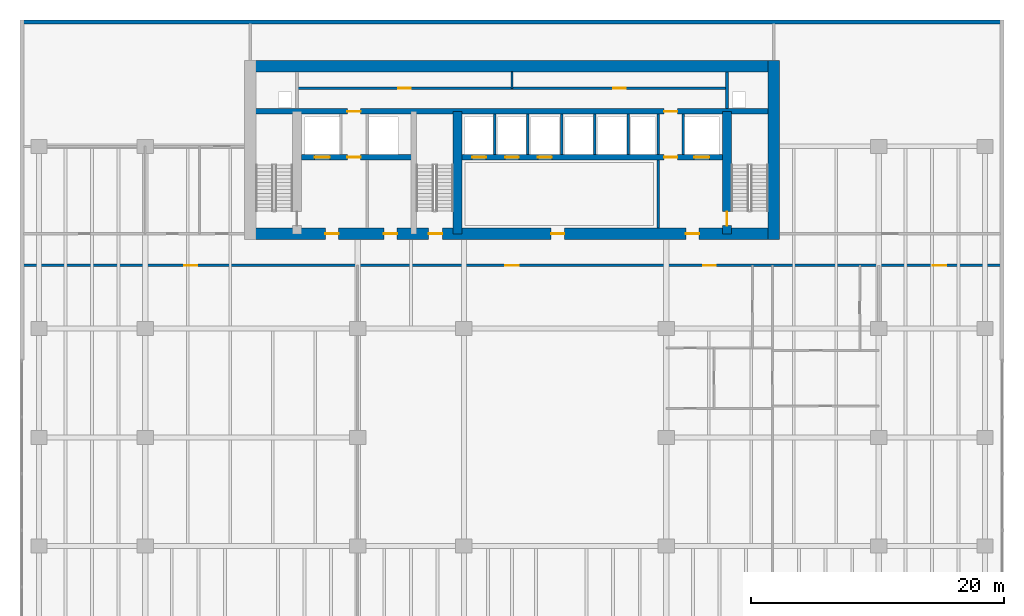
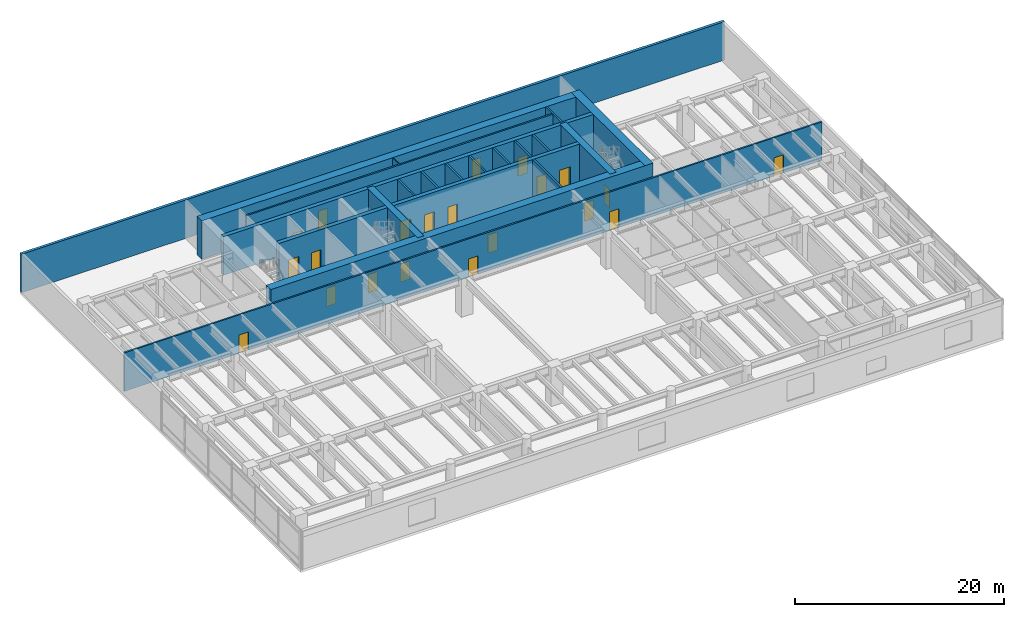
# One storey, part 8 of 13: 21 doors, 20 walls, 21 openings.
"""IFC4 building model written with IfcOpenShell, lengths in metres."""

import ifcopenshell
import ifcopenshell.guid

model = None  # the IFC model being written
_history = None  # IfcOwnerHistory: only IFC2X3 demands one
_inside = {}  # id of a spatial element -> (the spatial element, [elements in it])
_under = {}  # id of a project, library or spatial element -> (it, [spatial elements below it])
_declared = {}  # id of a project -> (the project, [libraries it declares])
_typed = {}  # id of a type object -> (the type object, [elements of that type])
_made_of = {}  # id of a material, layer set ... -> (it, [elements and type objects made of it])


def new_model(schema):
    """Start an empty IFC model of exactly this schema.

    Asked for "IFC4X3", IfcOpenShell would pick the latest addendum, in which some entities
    have other attributes; the version numbers below select the first issue.
    IFC2X3 requires an IfcOwnerHistory on every rooted entity: one is made here for all.
    """
    global model, _history
    if schema == "IFC4X3":
        model = ifcopenshell.file(schema_version=(4, 3, 0, 0))
    else:
        model = ifcopenshell.file(schema=schema)
    _inside.clear()
    _under.clear()
    _declared.clear()
    _typed.clear()
    _made_of.clear()
    _history = None
    if model.schema == "IFC2X3":
        org = make("IfcOrganization", Name="unknown")
        user = make(
            "IfcPersonAndOrganization",
            ThePerson=make("IfcPerson", FamilyName="unknown"),
            TheOrganization=org,
        )
        app = make(
            "IfcApplication",
            ApplicationDeveloper=org,
            Version="unknown",
            ApplicationFullName="unknown",
            ApplicationIdentifier="unknown",
        )
        _history = make(
            "IfcOwnerHistory",
            OwningUser=user,
            OwningApplication=app,
            ChangeAction="ADDED",
            CreationDate=0,
        )
    return model


def make(cls, **values):
    """One entity of the class cls with the attributes given. An attribute that is None is left unset."""
    return model.create_entity(
        cls, **{name: value for name, value in values.items() if value is not None}
    )


def rooted(cls, **values):
    """An entity with a GlobalId (a new one), such as an element, a storey or a relation."""
    return make(cls, GlobalId=ifcopenshell.guid.new(), OwnerHistory=_history, **values)


def si_unit(unit_type, name, prefix=None):
    """IfcSIUnit, for example si_unit("LENGTHUNIT", "METRE", prefix="MILLI")."""
    return make("IfcSIUnit", UnitType=unit_type, Prefix=prefix, Name=name)


def assignment(units):
    """IfcUnitAssignment: the units of a project."""
    return None if units is None else make("IfcUnitAssignment", Units=units)


def point(xyz):
    """IfcCartesianPoint."""
    return None if xyz is None else make("IfcCartesianPoint", Coordinates=xyz)


def direction(xyz):
    """IfcDirection."""
    return None if xyz is None else make("IfcDirection", DirectionRatios=xyz)


def frame(location, z_axis=None, x_axis=None):
    """IfcAxis2Placement3D, a coordinate frame: its origin and axes. An axis left out is left unset."""
    return make(
        "IfcAxis2Placement3D",
        Location=point(location),
        Axis=direction(z_axis),
        RefDirection=direction(x_axis),
    )


def frame_2d(location, x_axis=None):
    """IfcAxis2Placement2D, a coordinate frame in the plane: its origin and x axis."""
    return make(
        "IfcAxis2Placement2D", Location=point(location), RefDirection=direction(x_axis)
    )


def origin():
    """The frame at (0, 0, 0) with its axes left unset."""
    return frame((0.0, 0.0, 0.0))


def place(relative_to, where):
    """IfcLocalPlacement: puts the frame where relative to a parent placement (None: the world)."""
    return make(
        "IfcLocalPlacement", PlacementRelTo=relative_to, RelativePlacement=where
    )


def context(
    kind, dimensions, precision=None, world=None, true_north=None, identifier=None
):
    """IfcGeometricRepresentationContext, for example the 3D "Model" context."""
    return make(
        "IfcGeometricRepresentationContext",
        ContextIdentifier=identifier,
        ContextType=kind,
        CoordinateSpaceDimension=dimensions,
        Precision=precision,
        WorldCoordinateSystem=world,
        TrueNorth=true_north,
    )


def subcontext(parent, identifier, kind, view, scale=None):
    """IfcGeometricRepresentationSubContext, for example "Body" below "Model"."""
    return make(
        "IfcGeometricRepresentationSubContext",
        ContextIdentifier=identifier,
        ContextType=kind,
        ParentContext=parent,
        TargetScale=scale,
        TargetView=view,
    )


def project(units=None, contexts=None):
    """IfcProject with its units and contexts."""
    return rooted(
        "IfcProject",
        Name="project",
        RepresentationContexts=contexts,
        UnitsInContext=assignment(units),
    )


def spatial(cls, under=None, at=None, **own):
    """A site, building, storey or space (cls), placed at a placement, below another one or the project."""
    s = rooted(cls, ObjectPlacement=at, **own)
    if under is not None:
        _under.setdefault(under.id(), (under, []))[1].append(s)
    return s


def profile(cls, at=None, kind="AREA", **sizes):
    """A parametric profile (cls). Its sizes go by their IFC names, for example OverallWidth=200.0."""
    return make(cls, ProfileType=kind, Position=at, **sizes)


def rectangle(**sizes):
    """IfcRectangleProfileDef."""
    return profile("IfcRectangleProfileDef", **sizes)


def extrude(swept, where, along, depth):
    """IfcExtrudedAreaSolid: the profile swept, set in the frame where, extruded along a direction by depth."""
    return make(
        "IfcExtrudedAreaSolid",
        SweptArea=swept,
        Position=where,
        ExtrudedDirection=direction(along),
        Depth=depth,
    )


def shape(context_of_items, identifier, shape_type, items):
    """IfcShapeRepresentation: the items that make up one representation, for example the "Body"."""
    return make(
        "IfcShapeRepresentation",
        ContextOfItems=context_of_items,
        RepresentationIdentifier=identifier,
        RepresentationType=shape_type,
        Items=items,
    )


def material(Name=None, Category=None):
    """IfcMaterial."""
    return make("IfcMaterial", Name=Name, Category=Category)


def layer(
    of_material, thickness, ventilated=None, Name=None, Category=None, Priority=None
):
    """IfcMaterialLayer: one layer of a wall or slab, of a material (None: an air gap)."""
    return make(
        "IfcMaterialLayer",
        Material=of_material,
        LayerThickness=thickness,
        IsVentilated=ventilated,
        Name=Name,
        Category=Category,
        Priority=Priority,
    )


def layer_set(layers, Name=None):
    """IfcMaterialLayerSet."""
    return make("IfcMaterialLayerSet", MaterialLayers=layers, LayerSetName=Name)


def made_of(thing, what):
    """Note that an element or type object is made of a material, layer set ...; save() writes the relation."""
    if what is not None:
        _made_of.setdefault(what.id(), (what, []))[1].append(thing)
    return thing


def type_object(cls, material=None, **own):
    """A type object (cls), such as IfcWallType, which elements share."""
    return made_of(rooted(cls, **own), material)


def element(
    cls,
    number,
    at=None,
    inside=None,
    cuts=None,
    type_object=None,
    material=None,
    context=None,
    identifier="Body",
    shape_type=None,
    held_by="IfcProductDefinitionShape",
    body=None,
    shapes=None,
    **own,
):
    """One element of the class cls, such as IfcWall. Its Tag is "e" and its number.

    at: its placement. inside: the storey or other place that contains it. cuts: it is an
    opening in that element (IfcRelVoidsElement). A single representation is given by context,
    identifier, shape_type and body (its items); several are given by shapes. held_by: the class
    of the entity that holds the representations. save() writes the other relations.
    """
    e = rooted(cls, Tag="e%d" % number, ObjectPlacement=at, **own)
    if body is not None:
        shapes = [shape(context, identifier, shape_type, body)]
    if shapes is not None:
        e.Representation = make(held_by, Representations=shapes)
    if inside is not None:
        _inside.setdefault(inside.id(), (inside, []))[1].append(e)
    if cuts is not None:
        rooted(
            "IfcRelVoidsElement", RelatingBuildingElement=cuts, RelatedOpeningElement=e
        )
    if type_object is not None:
        _typed.setdefault(type_object.id(), (type_object, []))[1].append(e)
    return made_of(e, material)


def fill(opening, filler):
    """IfcRelFillsElement: the door or window that sits in an opening."""
    return rooted(
        "IfcRelFillsElement",
        RelatingOpeningElement=opening,
        RelatedBuildingElement=filler,
    )


def aggregate(whole, parts):
    """IfcRelAggregates: a whole, such as a stair, and the parts it consists of."""
    return rooted("IfcRelAggregates", RelatingObject=whole, RelatedObjects=parts)


def save(model, path):
    """Write the relations noted so far, then the file.

    IfcRelAggregates (storeys below a building ...), IfcRelContainedInSpatialStructure (elements
    in a storey), IfcRelDefinesByType, IfcRelAssociatesMaterial and IfcRelDeclares: one each for
    every whole, place, type object, material and project.
    """
    for whole, parts in _under.values():
        aggregate(whole, parts)
    for where, things in _inside.values():
        rooted(
            "IfcRelContainedInSpatialStructure",
            RelatedElements=things,
            RelatingStructure=where,
        )
    for kind, things in _typed.values():
        rooted("IfcRelDefinesByType", RelatedObjects=things, RelatingType=kind)
    for what, things in _made_of.values():
        rooted("IfcRelAssociatesMaterial", RelatedObjects=things, RelatingMaterial=what)
    for by, libraries in _declared.values():
        rooted("IfcRelDeclares", RelatingContext=by, RelatedDefinitions=libraries)
    model.write(path)


model = new_model("IFC4")

# Units and contexts
model_context = context("Model", 3, precision=1e-05, world=origin(), true_north=direction((0.0, 1.0)))
body_context = subcontext(model_context, "Body", "Model", "MODEL_VIEW")
ifc_project = project(units=[si_unit("LENGTHUNIT", "METRE"), si_unit("AREAUNIT", "SQUARE_METRE"), si_unit("VOLUMEUNIT", "CUBIC_METRE"), si_unit("PLANEANGLEUNIT", "RADIAN"), si_unit("MASSUNIT", "GRAM", prefix="KILO")], contexts=[model_context])

# Site, building, storey
site_placement = place(None, origin())
site = spatial("IfcSite", under=ifc_project, at=site_placement, CompositionType="ELEMENT")
building_placement = place(site_placement, origin())
building = spatial("IfcBuilding", under=site, at=building_placement, Name="Caelmar Bay Residences", CompositionType="ELEMENT")
storey_placement = place(building_placement, frame((0.0, 0.0, 5.39990234375)))
storey = spatial("IfcBuildingStorey", under=building, at=storey_placement, Name="L01", CompositionType="ELEMENT", Elevation=5.39990234375)

# Wall, opening, door
ifc_material_1 = material(Name="Concrete f'c 55 MPa (8,000 psi)", Category="concrete")
ifc_layer_1 = layer(ifc_material_1, 0.699951171875)
ifc_layer_set_1 = layer_set([ifc_layer_1], Name="Concrete f'c 55 MPa (8,000 psi)")
wall_type_1 = type_object("IfcWallType", Name="SW-COR-700", PredefinedType="SHEAR", material=ifc_layer_set_1)
wall_1_placement = place(storey_placement, frame((55.89990234375, 36.89990234375, 0.0), z_axis=(0.0, 0.0, 1.0), x_axis=(0.0, 1.0, 0.0)))
wall_1 = element("IfcWall", 1, at=wall_1_placement, inside=storey, type_object=wall_type_1, Name="L01 Core Structural Web Wall ST2W", PredefinedType="SHEAR", context=body_context, shape_type="SweptSolid", body=[
    extrude(rectangle(XDim=9.675048828125, YDim=0.699951171875, at=frame_2d((4.83740234375, 0.0))), origin(), (0.0, 0.0, 1.0), 4.5),
])
opening_1_placement = place(wall_1_placement, frame((0.64990234375, 0.0, 0.0)))
opening_1 = element("IfcOpeningElement", 2, at=opening_1_placement, cuts=wall_1, Name="Opening D-L01-111", PredefinedType="OPENING", context=body_context, shape_type="SweptSolid", body=[
    extrude(rectangle(XDim=1.10009765625, YDim=2.14990234375, at=frame_2d((0.550048828125, 1.074951171875))), frame((0.0, 0.35986328125, 0.0), z_axis=(0.0, -1.0, 0.0), x_axis=(1.0, 0.0, 0.0)), (0.0, 0.0, 1.0), 0.719970703125),
])
ifc_material_2 = material(Name="Fire-rated steel and walnut architectural door assembly", Category="steel")
ifc_layer_2 = layer(ifc_material_2, 0.050048828125)
ifc_layer_set_2 = layer_set([ifc_layer_2], Name="Fire-rated steel and walnut architectural door assembly")
door_type_1 = type_object("IfcDoorType", Name="D-STAIR-1100", OperationType="NOTDEFINED", PredefinedType="DOOR", material=ifc_layer_set_2)
door_1_placement = place(opening_1_placement, origin())
door_1 = element("IfcDoor", 3, at=door_1_placement, inside=storey, type_object=door_type_1, Name="L01 Firefighting Lobby East Door", OperationType="SINGLE_SWING_RIGHT", OverallHeight=2.14990234375, OverallWidth=1.10009765625, PredefinedType="DOOR", context=body_context, shape_type="SweptSolid", body=[
    extrude(rectangle(XDim=1.10009765625, YDim=2.14990234375, at=frame_2d((0.550048828125, 1.074951171875))), frame((0.0, 0.02490234375, 0.0), z_axis=(0.0, -1.0, 0.0), x_axis=(1.0, 0.0, 0.0)), (0.0, 0.0, 1.0), 0.050048828125),
])
fill(opening_1, door_1)

# Wall
wall_2_placement = place(storey_placement, frame((34.60009765625, 36.89990234375, 0.0), z_axis=(0.0, 0.0, 1.0), x_axis=(0.0, 1.0, 0.0)))
element("IfcWall", 4, at=wall_2_placement, inside=storey, type_object=wall_type_1, Name="L01 Core Structural Web Wall ST3E", PredefinedType="SHEAR", context=body_context, shape_type="SweptSolid", body=[
    extrude(rectangle(XDim=9.675048828125, YDim=0.699951171875, at=frame_2d((4.83740234375, 0.0))), origin(), (0.0, 0.0, 1.0), 4.5),
])

# Wall, openings, doors
ifc_material_3 = material(Name="Concrete f'c 70 MPa (10,000 psi)", Category="concrete")
ifc_layer_3 = layer(ifc_material_3, 0.89990234375)
ifc_layer_set_3 = layer_set([ifc_layer_3], Name="Concrete f'c 70 MPa (10,000 psi)")
wall_type_2 = type_object("IfcWallType", Name="SW-COR-900", PredefinedType="SHEAR", material=ifc_layer_set_3)
wall_3_placement = place(storey_placement, frame((17.75, 36.89990234375, 0.0), z_axis=(0.0, 0.0, 1.0), x_axis=(1.0, 0.0, 0.0)))
wall_3 = element("IfcWall", 5, at=wall_3_placement, inside=storey, type_object=wall_type_2, Name="L01 Rear Core South Shear Wall", PredefinedType="SHEAR", context=body_context, shape_type="SweptSolid", body=[
    extrude(rectangle(XDim=42.300048828125, YDim=0.89990234375, at=frame_2d((21.14990234375, 0.0))), origin(), (0.0, 0.0, 1.0), 4.5),
])
opening_2_placement = place(wall_3_placement, frame((14.550048828125, 0.0, 0.0)))
opening_2 = element("IfcOpeningElement", 6, at=opening_2_placement, cuts=wall_3, Name="Opening D-L01-106", PredefinedType="OPENING", context=body_context, shape_type="SweptSolid", body=[
    extrude(rectangle(XDim=1.10009765625, YDim=2.14990234375, at=frame_2d((0.550048828125, 1.074951171875))), frame((0.0, 0.4599609375, 0.0), z_axis=(0.0, -1.0, 0.0), x_axis=(1.0, 0.0, 0.0)), (0.0, 0.0, 1.0), 0.919921875),
])
opening_3_placement = place(wall_3_placement, frame((6.39990234375, 0.0, 0.0)))
opening_3 = element("IfcOpeningElement", 7, at=opening_3_placement, cuts=wall_3, Name="Opening D-L01-107", PredefinedType="OPENING", context=body_context, shape_type="SweptSolid", body=[
    extrude(rectangle(XDim=1.050048828125, YDim=2.14990234375, at=frame_2d((0.52490234375, 1.074951171875))), frame((0.0, 0.4599609375, 0.0), z_axis=(0.0, -1.0, 0.0), x_axis=(1.0, 0.0, 0.0)), (0.0, 0.0, 1.0), 0.919921875),
])
opening_4_placement = place(wall_3_placement, frame((34.89990234375, 0.0, 0.0)))
opening_4 = element("IfcOpeningElement", 8, at=opening_4_placement, cuts=wall_3, Name="Opening D-L01-110", PredefinedType="OPENING", context=body_context, shape_type="SweptSolid", body=[
    extrude(rectangle(XDim=1.050048828125, YDim=2.14990234375, at=frame_2d((0.52490234375, 1.074951171875))), frame((0.0, 0.4599609375, 0.0), z_axis=(0.0, -1.0, 0.0), x_axis=(1.0, 0.0, 0.0)), (0.0, 0.0, 1.0), 0.919921875),
])
opening_5_placement = place(wall_3_placement, frame((11.012451171875, 0.0, 0.0)))
opening_5 = element("IfcOpeningElement", 9, at=opening_5_placement, cuts=wall_3, Name="Opening D-L01-113", PredefinedType="OPENING", context=body_context, shape_type="SweptSolid", body=[
    extrude(rectangle(XDim=1.050048828125, YDim=2.14990234375, at=frame_2d((0.52490234375, 1.074951171875))), frame((0.0, 0.4599609375, 0.0), z_axis=(0.0, -1.0, 0.0), x_axis=(1.0, 0.0, 0.0)), (0.0, 0.0, 1.0), 0.919921875),
])
opening_6_placement = place(wall_3_placement, frame((24.25, 0.0, 0.0)))
opening_6 = element("IfcOpeningElement", 10, at=opening_6_placement, cuts=wall_3, Name="Opening D-L01-114", PredefinedType="OPENING", context=body_context, shape_type="SweptSolid", body=[
    extrude(rectangle(XDim=1.050048828125, YDim=2.14990234375, at=frame_2d((0.52490234375, 1.074951171875))), frame((0.0, 0.4599609375, 0.0), z_axis=(0.0, -1.0, 0.0), x_axis=(1.0, 0.0, 0.0)), (0.0, 0.0, 1.0), 0.919921875),
])
ifc_layer_4 = layer(ifc_material_2, 0.050048828125)
ifc_layer_set_4 = layer_set([ifc_layer_4], Name="Fire-rated steel and walnut architectural door assembly")
door_type_2 = type_object("IfcDoorType", Name="D-FSAE-1050", OperationType="NOTDEFINED", PredefinedType="DOOR", material=ifc_layer_set_4)
door_2_placement = place(opening_3_placement, origin())
door_2 = element("IfcDoor", 11, at=door_2_placement, inside=storey, type_object=door_type_2, Name="L01 Firefighting Lobby West Door", OperationType="SINGLE_SWING_RIGHT", OverallHeight=2.14990234375, OverallWidth=1.050048828125, PredefinedType="DOOR", context=body_context, shape_type="SweptSolid", body=[
    extrude(rectangle(XDim=1.050048828125, YDim=2.14990234375, at=frame_2d((0.52490234375, 1.074951171875))), frame((0.0, 0.02490234375, 0.0), z_axis=(0.0, -1.0, 0.0), x_axis=(1.0, 0.0, 0.0)), (0.0, 0.0, 1.0), 0.050048828125),
])
fill(opening_3, door_2)
door_3_placement = place(opening_4_placement, origin())
door_3 = element("IfcDoor", 12, at=door_3_placement, inside=storey, type_object=door_type_2, Name="L01 Firefighting Lobby East Door", OperationType="SINGLE_SWING_LEFT", OverallHeight=2.14990234375, OverallWidth=1.050048828125, PredefinedType="DOOR", context=body_context, shape_type="SweptSolid", body=[
    extrude(rectangle(XDim=1.050048828125, YDim=2.14990234375, at=frame_2d((0.52490234375, 1.074951171875))), frame((0.0, 0.02490234375, 0.0), z_axis=(0.0, -1.0, 0.0), x_axis=(1.0, 0.0, 0.0)), (0.0, 0.0, 1.0), 0.050048828125),
])
fill(opening_4, door_3)
door_4_placement = place(opening_5_placement, origin())
door_4 = element("IfcDoor", 13, at=door_4_placement, inside=storey, type_object=door_type_2, Name="L01 West Lift Lobby Door", OperationType="SINGLE_SWING_RIGHT", OverallHeight=2.14990234375, OverallWidth=1.050048828125, PredefinedType="DOOR", context=body_context, shape_type="SweptSolid", body=[
    extrude(rectangle(XDim=1.050048828125, YDim=2.14990234375, at=frame_2d((0.52490234375, 1.074951171875))), frame((0.0, 0.02490234375, 0.0), z_axis=(0.0, -1.0, 0.0), x_axis=(1.0, 0.0, 0.0)), (0.0, 0.0, 1.0), 0.050048828125),
])
fill(opening_5, door_4)
door_5_placement = place(opening_6_placement, origin())
door_5 = element("IfcDoor", 14, at=door_5_placement, inside=storey, type_object=door_type_2, Name="L01 Passenger Lift Lobby Door", OperationType="SINGLE_SWING_LEFT", OverallHeight=2.14990234375, OverallWidth=1.050048828125, PredefinedType="DOOR", context=body_context, shape_type="SweptSolid", body=[
    extrude(rectangle(XDim=1.050048828125, YDim=2.14990234375, at=frame_2d((0.52490234375, 1.074951171875))), frame((0.0, 0.02490234375, 0.0), z_axis=(0.0, -1.0, 0.0), x_axis=(1.0, 0.0, 0.0)), (0.0, 0.0, 1.0), 0.050048828125),
])
fill(opening_6, door_5)
door_6_placement = place(opening_2_placement, origin())
door_6 = element("IfcDoor", 15, at=door_6_placement, inside=storey, type_object=door_type_1, Name="L01 Exit Stair ST3 Door", OperationType="SINGLE_SWING_LEFT", OverallHeight=2.14990234375, OverallWidth=1.10009765625, PredefinedType="DOOR", context=body_context, shape_type="SweptSolid", body=[
    extrude(rectangle(XDim=1.10009765625, YDim=2.14990234375, at=frame_2d((0.550048828125, 1.074951171875))), frame((0.0, 0.02490234375, 0.0), z_axis=(0.0, -1.0, 0.0), x_axis=(1.0, 0.0, 0.0)), (0.0, 0.0, 1.0), 0.050048828125),
])
fill(opening_2, door_6)

# Walls
wall_4_placement = place(storey_placement, frame((17.75, 50.14990234375, 0.0), z_axis=(0.0, 0.0, 1.0), x_axis=(1.0, 0.0, 0.0)))
element("IfcWall", 16, at=wall_4_placement, inside=storey, type_object=wall_type_2, Name="L01 Rear Core North Shear Wall", PredefinedType="SHEAR", context=body_context, shape_type="SweptSolid", body=[
    extrude(rectangle(XDim=42.300048828125, YDim=0.89990234375, at=frame_2d((21.14990234375, 0.0))), origin(), (0.0, 0.0, 1.0), 4.5),
])
wall_5_placement = place(storey_placement, frame((59.60009765625, 36.449951171875, 0.0), z_axis=(0.0, 0.0, 1.0), x_axis=(0.0, 1.0, 0.0)))
element("IfcWall", 17, at=wall_5_placement, inside=storey, type_object=wall_type_2, Name="L01 Rear Core East Shear Wall", PredefinedType="SHEAR", context=body_context, shape_type="SweptSolid", body=[
    extrude(rectangle(XDim=14.150146484375, YDim=0.89990234375, at=frame_2d((7.0751953125, 0.0))), origin(), (0.0, 0.0, 1.0), 4.5),
])

# Wall, openings, doors
ifc_layer_5 = layer(ifc_material_3, 0.449951171875)
ifc_layer_set_5 = layer_set([ifc_layer_5], Name="Concrete f'c 70 MPa (10,000 psi)")
wall_type_3 = type_object("IfcWallType", Name="SW-WEB-450", PredefinedType="SHEAR", material=ifc_layer_set_5)
wall_6_placement = place(storey_placement, frame((22.25, 42.949951171875, 0.0), z_axis=(0.0, 0.0, 1.0), x_axis=(1.0, 0.0, 0.0)))
wall_6 = element("IfcWall", 18, at=wall_6_placement, inside=storey, type_object=wall_type_3, Name="L01 Core Structural Web Wall LFR", PredefinedType="SHEAR", context=body_context, shape_type="SweptSolid", body=[
    extrude(rectangle(XDim=33.300048828125, YDim=0.449951171875, at=frame_2d((16.64990234375, 0.0))), origin(), (0.0, 0.0, 1.0), 4.5),
])
opening_7_placement = place(wall_6_placement, frame((1.050048828125, 0.0, 0.0)))
opening_7 = element("IfcOpeningElement", 19, at=opening_7_placement, cuts=wall_6, Name="Opening LD2", PredefinedType="OPENING", context=body_context, shape_type="SweptSolid", body=[
    extrude(rectangle(XDim=1.199951171875, YDim=2.199951171875, at=frame_2d((0.60009765625, 1.10009765625))), frame((0.0, 0.23486328125, 0.0), z_axis=(0.0, -1.0, 0.0), x_axis=(1.0, 0.0, 0.0)), (0.0, 0.0, 1.0), 0.469970703125),
])
opening_8_placement = place(wall_6_placement, frame((31.050048828125, 0.0, 0.0)))
opening_8 = element("IfcOpeningElement", 20, at=opening_8_placement, cuts=wall_6, Name="Opening LD2", PredefinedType="OPENING", context=body_context, shape_type="SweptSolid", body=[
    extrude(rectangle(XDim=1.199951171875, YDim=2.199951171875, at=frame_2d((0.60009765625, 1.10009765625))), frame((0.0, 0.23486328125, 0.0), z_axis=(0.0, -1.0, 0.0), x_axis=(1.0, 0.0, 0.0)), (0.0, 0.0, 1.0), 0.469970703125),
])
opening_9_placement = place(wall_6_placement, frame((13.5, 0.0, 0.0)))
opening_9 = element("IfcOpeningElement", 21, at=opening_9_placement, cuts=wall_6, Name="Opening LD1", PredefinedType="OPENING", context=body_context, shape_type="SweptSolid", body=[
    extrude(rectangle(XDim=1.10009765625, YDim=2.199951171875, at=frame_2d((0.550048828125, 1.10009765625))), frame((0.0, 0.23486328125, 0.0), z_axis=(0.0, -1.0, 0.0), x_axis=(1.0, 0.0, 0.0)), (0.0, 0.0, 1.0), 0.469970703125),
])
opening_10_placement = place(wall_6_placement, frame((16.10009765625, 0.0, 0.0)))
opening_10 = element("IfcOpeningElement", 22, at=opening_10_placement, cuts=wall_6, Name="Opening LD1", PredefinedType="OPENING", context=body_context, shape_type="SweptSolid", body=[
    extrude(rectangle(XDim=1.10009765625, YDim=2.199951171875, at=frame_2d((0.550048828125, 1.10009765625))), frame((0.0, 0.23486328125, 0.0), z_axis=(0.0, -1.0, 0.0), x_axis=(1.0, 0.0, 0.0)), (0.0, 0.0, 1.0), 0.469970703125),
])
opening_11_placement = place(wall_6_placement, frame((18.699951171875, 0.0, 0.0)))
opening_11 = element("IfcOpeningElement", 23, at=opening_11_placement, cuts=wall_6, Name="Opening LD1", PredefinedType="OPENING", context=body_context, shape_type="SweptSolid", body=[
    extrude(rectangle(XDim=1.10009765625, YDim=2.199951171875, at=frame_2d((0.550048828125, 1.10009765625))), frame((0.0, 0.23486328125, 0.0), z_axis=(0.0, -1.0, 0.0), x_axis=(1.0, 0.0, 0.0)), (0.0, 0.0, 1.0), 0.469970703125),
])
opening_12_placement = place(wall_6_placement, frame((3.625, 0.0, 0.0)))
opening_12 = element("IfcOpeningElement", 24, at=opening_12_placement, cuts=wall_6, Name="Opening D-L01-109", PredefinedType="OPENING", context=body_context, shape_type="SweptSolid", body=[
    extrude(rectangle(XDim=1.050048828125, YDim=2.14990234375, at=frame_2d((0.52490234375, 1.074951171875))), frame((0.0, 0.23486328125, 0.0), z_axis=(0.0, -1.0, 0.0), x_axis=(1.0, 0.0, 0.0)), (0.0, 0.0, 1.0), 0.469970703125),
])
opening_13_placement = place(wall_6_placement, frame((28.675048828125, 0.0, 0.0)))
opening_13 = element("IfcOpeningElement", 25, at=opening_13_placement, cuts=wall_6, Name="Opening D-L01-112", PredefinedType="OPENING", context=body_context, shape_type="SweptSolid", body=[
    extrude(rectangle(XDim=1.050048828125, YDim=2.14990234375, at=frame_2d((0.52490234375, 1.074951171875))), frame((0.0, 0.23486328125, 0.0), z_axis=(0.0, -1.0, 0.0), x_axis=(1.0, 0.0, 0.0)), (0.0, 0.0, 1.0), 0.469970703125),
])
door_7_placement = place(opening_12_placement, origin())
door_7 = element("IfcDoor", 26, at=door_7_placement, inside=storey, type_object=door_type_2, Name="L01 Firefighting Lobby West Door", OperationType="SINGLE_SWING_RIGHT", OverallHeight=2.14990234375, OverallWidth=1.050048828125, PredefinedType="DOOR", context=body_context, shape_type="SweptSolid", body=[
    extrude(rectangle(XDim=1.050048828125, YDim=2.14990234375, at=frame_2d((0.52490234375, 1.074951171875))), frame((0.0, 0.02490234375, 0.0), z_axis=(0.0, -1.0, 0.0), x_axis=(1.0, 0.0, 0.0)), (0.0, 0.0, 1.0), 0.050048828125),
])
fill(opening_12, door_7)
door_8_placement = place(opening_13_placement, origin())
door_8 = element("IfcDoor", 27, at=door_8_placement, inside=storey, type_object=door_type_2, Name="L01 Firefighting Lobby East Door", OperationType="SINGLE_SWING_LEFT", OverallHeight=2.14990234375, OverallWidth=1.050048828125, PredefinedType="DOOR", context=body_context, shape_type="SweptSolid", body=[
    extrude(rectangle(XDim=1.050048828125, YDim=2.14990234375, at=frame_2d((0.52490234375, 1.074951171875))), frame((0.0, 0.02490234375, 0.0), z_axis=(0.0, -1.0, 0.0), x_axis=(1.0, 0.0, 0.0)), (0.0, 0.0, 1.0), 0.050048828125),
])
fill(opening_13, door_8)
ifc_material_4 = material(Name="Brushed bronze stainless-steel fire-rated lift landing doors", Category="steel")
ifc_layer_6 = layer(ifc_material_4, 0.050048828125)
ifc_layer_set_6 = layer_set([ifc_layer_6], Name="Brushed bronze stainless-steel fire-rated lift landing doors")
door_type_3 = type_object("IfcDoorType", Name="D-LND-1100", OperationType="DOUBLE_DOOR_SLIDING", PredefinedType="DOOR", material=ifc_layer_set_6)
door_9_placement = place(opening_9_placement, origin())
door_9 = element("IfcDoor", 28, at=door_9_placement, inside=storey, type_object=door_type_3, Name="L01 LP1 Sliding Landing Door", OperationType="DOUBLE_DOOR_SLIDING", OverallHeight=2.199951171875, OverallWidth=1.10009765625, PredefinedType="DOOR", context=body_context, shape_type="SweptSolid", body=[
    extrude(rectangle(XDim=1.10009765625, YDim=2.199951171875, at=frame_2d((0.550048828125, 1.10009765625))), frame((0.0, 0.02490234375, 0.0), z_axis=(0.0, -1.0, 0.0), x_axis=(1.0, 0.0, 0.0)), (0.0, 0.0, 1.0), 0.050048828125),
])
fill(opening_9, door_9)
door_10_placement = place(opening_10_placement, origin())
door_10 = element("IfcDoor", 29, at=door_10_placement, inside=storey, type_object=door_type_3, Name="L01 LP2 Sliding Landing Door", OperationType="DOUBLE_DOOR_SLIDING", OverallHeight=2.199951171875, OverallWidth=1.10009765625, PredefinedType="DOOR", context=body_context, shape_type="SweptSolid", body=[
    extrude(rectangle(XDim=1.10009765625, YDim=2.199951171875, at=frame_2d((0.550048828125, 1.10009765625))), frame((0.0, 0.02490234375, 0.0), z_axis=(0.0, -1.0, 0.0), x_axis=(1.0, 0.0, 0.0)), (0.0, 0.0, 1.0), 0.050048828125),
])
fill(opening_10, door_10)
door_11_placement = place(opening_11_placement, origin())
door_11 = element("IfcDoor", 30, at=door_11_placement, inside=storey, type_object=door_type_3, Name="L01 LP3 Sliding Landing Door", OperationType="DOUBLE_DOOR_SLIDING", OverallHeight=2.199951171875, OverallWidth=1.10009765625, PredefinedType="DOOR", context=body_context, shape_type="SweptSolid", body=[
    extrude(rectangle(XDim=1.10009765625, YDim=2.199951171875, at=frame_2d((0.550048828125, 1.10009765625))), frame((0.0, 0.02490234375, 0.0), z_axis=(0.0, -1.0, 0.0), x_axis=(1.0, 0.0, 0.0)), (0.0, 0.0, 1.0), 0.050048828125),
])
fill(opening_11, door_11)
ifc_material_5 = material(Name="Brushed stainless-steel FSAE sliding landing door", Category="steel")
ifc_layer_7 = layer(ifc_material_5, 0.050048828125)
ifc_layer_set_7 = layer_set([ifc_layer_7], Name="Brushed stainless-steel FSAE sliding landing door")
door_type_4 = type_object("IfcDoorType", Name="D-LND-1200", OperationType="DOUBLE_DOOR_SLIDING", PredefinedType="DOOR", material=ifc_layer_set_7)
door_12_placement = place(opening_7_placement, origin())
door_12 = element("IfcDoor", 31, at=door_12_placement, inside=storey, type_object=door_type_4, Name="L01 LF1 Sliding Landing Door", OperationType="DOUBLE_DOOR_SLIDING", OverallHeight=2.199951171875, OverallWidth=1.199951171875, PredefinedType="DOOR", context=body_context, shape_type="SweptSolid", body=[
    extrude(rectangle(XDim=1.199951171875, YDim=2.199951171875, at=frame_2d((0.60009765625, 1.10009765625))), frame((0.0, 0.02490234375, 0.0), z_axis=(0.0, -1.0, 0.0), x_axis=(1.0, 0.0, 0.0)), (0.0, 0.0, 1.0), 0.050048828125),
])
fill(opening_7, door_12)
door_13_placement = place(opening_8_placement, origin())
door_13 = element("IfcDoor", 32, at=door_13_placement, inside=storey, type_object=door_type_4, Name="L01 LF2 Sliding Landing Door", OperationType="DOUBLE_DOOR_SLIDING", OverallHeight=2.199951171875, OverallWidth=1.199951171875, PredefinedType="DOOR", context=body_context, shape_type="SweptSolid", body=[
    extrude(rectangle(XDim=1.199951171875, YDim=2.199951171875, at=frame_2d((0.60009765625, 1.10009765625))), frame((0.0, 0.02490234375, 0.0), z_axis=(0.0, -1.0, 0.0), x_axis=(1.0, 0.0, 0.0)), (0.0, 0.0, 1.0), 0.050048828125),
])
fill(opening_8, door_13)

wall_7_placement = place(storey_placement, frame((18.199951171875, 46.574951171875, 0.0), z_axis=(0.0, 0.0, 1.0), x_axis=(1.0, 0.0, 0.0)))
wall_7 = element("IfcWall", 33, at=wall_7_placement, inside=storey, type_object=wall_type_3, Name="L01 Core Structural Web Wall SRVS", PredefinedType="SHEAR", context=body_context, shape_type="SweptSolid", body=[
    extrude(rectangle(XDim=41.400146484375, YDim=0.449951171875, at=frame_2d((20.7001953125, 0.0))), origin(), (0.0, 0.0, 1.0), 4.5),
])
opening_14_placement = place(wall_7_placement, frame((7.675048828125, 0.0, 0.0)))
opening_14 = element("IfcOpeningElement", 34, at=opening_14_placement, cuts=wall_7, Name="Opening D-L01-115", PredefinedType="OPENING", context=body_context, shape_type="SweptSolid", body=[
    extrude(rectangle(XDim=1.050048828125, YDim=2.14990234375, at=frame_2d((0.52490234375, 1.074951171875))), frame((0.0, 0.23486328125, 0.0), z_axis=(0.0, -1.0, 0.0), x_axis=(1.0, 0.0, 0.0)), (0.0, 0.0, 1.0), 0.469970703125),
])
opening_15_placement = place(wall_7_placement, frame((32.72509765625, 0.0, 0.0)))
opening_15 = element("IfcOpeningElement", 35, at=opening_15_placement, cuts=wall_7, Name="Opening D-L01-116", PredefinedType="OPENING", context=body_context, shape_type="SweptSolid", body=[
    extrude(rectangle(XDim=1.050048828125, YDim=2.14990234375, at=frame_2d((0.52490234375, 1.074951171875))), frame((0.0, 0.23486328125, 0.0), z_axis=(0.0, -1.0, 0.0), x_axis=(1.0, 0.0, 0.0)), (0.0, 0.0, 1.0), 0.469970703125),
])
door_14_placement = place(opening_14_placement, origin())
door_14 = element("IfcDoor", 36, at=door_14_placement, inside=storey, type_object=door_type_2, Name="L01 Core Service Corridor Door", OperationType="SINGLE_SWING_RIGHT", OverallHeight=2.14990234375, OverallWidth=1.050048828125, PredefinedType="DOOR", context=body_context, shape_type="SweptSolid", body=[
    extrude(rectangle(XDim=1.050048828125, YDim=2.14990234375, at=frame_2d((0.52490234375, 1.074951171875))), frame((0.0, 0.02490234375, 0.0), z_axis=(0.0, -1.0, 0.0), x_axis=(1.0, 0.0, 0.0)), (0.0, 0.0, 1.0), 0.050048828125),
])
fill(opening_14, door_14)
door_15_placement = place(opening_15_placement, origin())
door_15 = element("IfcDoor", 37, at=door_15_placement, inside=storey, type_object=door_type_2, Name="L01 Core Service Corridor Door", OperationType="SINGLE_SWING_LEFT", OverallHeight=2.14990234375, OverallWidth=1.050048828125, PredefinedType="DOOR", context=body_context, shape_type="SweptSolid", body=[
    extrude(rectangle(XDim=1.050048828125, YDim=2.14990234375, at=frame_2d((0.52490234375, 1.074951171875))), frame((0.0, 0.02490234375, 0.0), z_axis=(0.0, -1.0, 0.0), x_axis=(1.0, 0.0, 0.0)), (0.0, 0.0, 1.0), 0.050048828125),
])
fill(opening_15, door_15)

ifc_material_6 = material(Name="Double-stud acoustic fire-rated gypsum partition 180 mm")
ifc_layer_8 = layer(ifc_material_6, 0.179931640625)
ifc_layer_set_8 = layer_set([ifc_layer_8], Name="Double-stud acoustic fire-rated gypsum partition 180 mm")
wall_type_4 = type_object("IfcWallType", Name="W-COR-200", PredefinedType="PARTITIONING", material=ifc_layer_set_8)
wall_8_placement = place(storey_placement, frame((0.294921875, 34.39990234375, 0.0), z_axis=(0.0, 0.0, 1.0), x_axis=(1.0, 0.0, 0.0)))
wall_8 = element("IfcWall", 38, at=wall_8_placement, inside=storey, type_object=wall_type_4, Name="L01 Partition Wall H031", PredefinedType="PARTITIONING", context=body_context, shape_type="SweptSolid", body=[
    extrude(rectangle(XDim=77.2099609375, YDim=0.179931640625, at=frame_2d((38.60498046875, 0.0))), origin(), (0.0, 0.0, 1.0), 4.5),
])
opening_16_placement = place(wall_8_placement, frame((12.677490234375, 0.0, 0.0)))
opening_16 = element("IfcOpeningElement", 39, at=opening_16_placement, cuts=wall_8, Name="Opening D-L01-119", PredefinedType="OPENING", context=body_context, shape_type="SweptSolid", body=[
    extrude(rectangle(XDim=1.050048828125, YDim=2.14990234375, at=frame_2d((0.52490234375, 1.074951171875))), frame((0.0, 0.099853515625, 0.0), z_axis=(0.0, -1.0, 0.0), x_axis=(1.0, 0.0, 0.0)), (0.0, 0.0, 1.0), 0.199951171875),
])
opening_17_placement = place(wall_8_placement, frame((38.080078125, 0.0, 0.0)))
opening_17 = element("IfcOpeningElement", 40, at=opening_17_placement, cuts=wall_8, Name="Opening D-L01-120", PredefinedType="OPENING", context=body_context, shape_type="SweptSolid", body=[
    extrude(rectangle(XDim=1.050048828125, YDim=2.14990234375, at=frame_2d((0.52490234375, 1.074951171875))), frame((0.0, 0.099853515625, 0.0), z_axis=(0.0, -1.0, 0.0), x_axis=(1.0, 0.0, 0.0)), (0.0, 0.0, 1.0), 0.199951171875),
])
opening_18_placement = place(wall_8_placement, frame((53.715087890625, 0.0, 0.0)))
opening_18 = element("IfcOpeningElement", 41, at=opening_18_placement, cuts=wall_8, Name="Opening D-L01-121", PredefinedType="OPENING", context=body_context, shape_type="SweptSolid", body=[
    extrude(rectangle(XDim=1.0, YDim=2.199951171875, at=frame_2d((0.5, 1.10009765625))), frame((0.0, 0.099853515625, 0.0), z_axis=(0.0, -1.0, 0.0), x_axis=(1.0, 0.0, 0.0)), (0.0, 0.0, 1.0), 0.199951171875),
])
opening_19_placement = place(wall_8_placement, frame((71.882568359375, 0.0, 0.0)))
opening_19 = element("IfcOpeningElement", 42, at=opening_19_placement, cuts=wall_8, Name="Opening D-L01-131", PredefinedType="OPENING", context=body_context, shape_type="SweptSolid", body=[
    extrude(rectangle(XDim=1.050048828125, YDim=2.14990234375, at=frame_2d((0.52490234375, 1.074951171875))), frame((0.0, 0.099853515625, 0.0), z_axis=(0.0, -1.0, 0.0), x_axis=(1.0, 0.0, 0.0)), (0.0, 0.0, 1.0), 0.199951171875),
])
door_16_placement = place(opening_16_placement, origin())
door_16 = element("IfcDoor", 43, at=door_16_placement, inside=storey, type_object=door_type_2, Name="L01 Co-Working Suite L01 Door", OperationType="SINGLE_SWING_RIGHT", OverallHeight=2.14990234375, OverallWidth=1.050048828125, PredefinedType="DOOR", context=body_context, shape_type="SweptSolid", body=[
    extrude(rectangle(XDim=1.050048828125, YDim=2.14990234375, at=frame_2d((0.52490234375, 1.074951171875))), frame((0.0, 0.02490234375, 0.0), z_axis=(0.0, -1.0, 0.0), x_axis=(1.0, 0.0, 0.0)), (0.0, 0.0, 1.0), 0.050048828125),
])
fill(opening_16, door_16)
door_17_placement = place(opening_17_placement, origin())
door_17 = element("IfcDoor", 44, at=door_17_placement, inside=storey, type_object=door_type_2, Name="L01 Co-Working Reading Room L01 Door", OperationType="SINGLE_SWING_LEFT", OverallHeight=2.14990234375, OverallWidth=1.050048828125, PredefinedType="DOOR", context=body_context, shape_type="SweptSolid", body=[
    extrude(rectangle(XDim=1.050048828125, YDim=2.14990234375, at=frame_2d((0.52490234375, 1.074951171875))), frame((0.0, 0.02490234375, 0.0), z_axis=(0.0, -1.0, 0.0), x_axis=(1.0, 0.0, 0.0)), (0.0, 0.0, 1.0), 0.050048828125),
])
fill(opening_17, door_17)
door_18_placement = place(opening_19_placement, origin())
door_18 = element("IfcDoor", 45, at=door_18_placement, inside=storey, type_object=door_type_2, Name="L01 Executive Study Lounge L01 Door", OperationType="SINGLE_SWING_RIGHT", OverallHeight=2.14990234375, OverallWidth=1.050048828125, PredefinedType="DOOR", context=body_context, shape_type="SweptSolid", body=[
    extrude(rectangle(XDim=1.050048828125, YDim=2.14990234375, at=frame_2d((0.52490234375, 1.074951171875))), frame((0.0, 0.02490234375, 0.0), z_axis=(0.0, -1.0, 0.0), x_axis=(1.0, 0.0, 0.0)), (0.0, 0.0, 1.0), 0.050048828125),
])
fill(opening_19, door_18)
ifc_layer_9 = layer(ifc_material_2, 0.050048828125)
ifc_layer_set_9 = layer_set([ifc_layer_9], Name="Fire-rated steel and walnut architectural door assembly")
door_type_5 = type_object("IfcDoorType", Name="D-UNIT-1000", OperationType="NOTDEFINED", PredefinedType="DOOR", material=ifc_layer_set_9)
door_19_placement = place(opening_18_placement, origin())
door_19 = element("IfcDoor", 46, at=door_19_placement, inside=storey, type_object=door_type_5, Name="L01 Residence 1A Apartment Hall Door", OperationType="SINGLE_SWING_RIGHT", OverallHeight=2.199951171875, OverallWidth=1.0, PredefinedType="DOOR", context=body_context, shape_type="SweptSolid", body=[
    extrude(rectangle(XDim=1.0, YDim=2.199951171875, at=frame_2d((0.5, 1.10009765625))), frame((0.0, 0.02490234375, 0.0), z_axis=(0.0, -1.0, 0.0), x_axis=(1.0, 0.0, 0.0)), (0.0, 0.0, 1.0), 0.050048828125),
])
fill(opening_18, door_19)

wall_9_placement = place(storey_placement, frame((21.89990234375, 48.39990234375, 0.0), z_axis=(0.0, 0.0, 1.0), x_axis=(1.0, 0.0, 0.0)))
wall_9 = element("IfcWall", 47, at=wall_9_placement, inside=storey, type_object=wall_type_4, Name="L01 Partition Wall H035", PredefinedType="PARTITIONING", context=body_context, shape_type="SweptSolid", body=[
    extrude(rectangle(XDim=34.0, YDim=0.179931640625, at=frame_2d((17.0, 0.0))), origin(), (0.0, 0.0, 1.0), 4.5),
])
opening_20_placement = place(wall_9_placement, frame((8.0, 0.0, 0.0)))
opening_20 = element("IfcOpeningElement", 48, at=opening_20_placement, cuts=wall_9, Name="Opening D-L01-117", PredefinedType="OPENING", context=body_context, shape_type="SweptSolid", body=[
    extrude(rectangle(XDim=1.0, YDim=2.199951171875, at=frame_2d((0.5, 1.10009765625))), frame((0.0, 0.099853515625, 0.0), z_axis=(0.0, -1.0, 0.0), x_axis=(1.0, 0.0, 0.0)), (0.0, 0.0, 1.0), 0.199951171875),
])
opening_21_placement = place(wall_9_placement, frame((25.0, 0.0, 0.0)))
opening_21 = element("IfcOpeningElement", 49, at=opening_21_placement, cuts=wall_9, Name="Opening D-L01-118", PredefinedType="OPENING", context=body_context, shape_type="SweptSolid", body=[
    extrude(rectangle(XDim=1.0, YDim=2.199951171875, at=frame_2d((0.5, 1.10009765625))), frame((0.0, 0.099853515625, 0.0), z_axis=(0.0, -1.0, 0.0), x_axis=(1.0, 0.0, 0.0)), (0.0, 0.0, 1.0), 0.199951171875),
])
door_20_placement = place(opening_20_placement, origin())
door_20 = element("IfcDoor", 50, at=door_20_placement, inside=storey, type_object=door_type_5, Name="L01 Building Management Office Door", OperationType="SINGLE_SWING_RIGHT", OverallHeight=2.199951171875, OverallWidth=1.0, PredefinedType="DOOR", context=body_context, shape_type="SweptSolid", body=[
    extrude(rectangle(XDim=1.0, YDim=2.199951171875, at=frame_2d((0.5, 1.10009765625))), frame((0.0, 0.02490234375, 0.0), z_axis=(0.0, -1.0, 0.0), x_axis=(1.0, 0.0, 0.0)), (0.0, 0.0, 1.0), 0.050048828125),
])
fill(opening_20, door_20)
door_21_placement = place(opening_21_placement, origin())
door_21 = element("IfcDoor", 51, at=door_21_placement, inside=storey, type_object=door_type_5, Name="L01 Concierge Operations Office Door", OperationType="SINGLE_SWING_LEFT", OverallHeight=2.199951171875, OverallWidth=1.0, PredefinedType="DOOR", context=body_context, shape_type="SweptSolid", body=[
    extrude(rectangle(XDim=1.0, YDim=2.199951171875, at=frame_2d((0.5, 1.10009765625))), frame((0.0, 0.02490234375, 0.0), z_axis=(0.0, -1.0, 0.0), x_axis=(1.0, 0.0, 0.0)), (0.0, 0.0, 1.0), 0.050048828125),
])
fill(opening_21, door_21)

# Walls
ifc_material_7 = material(Name="Precast concrete f'c 40 MPa (6,000 psi)", Category="concrete")
ifc_layer_10 = layer(ifc_material_7, 0.300048828125)
ifc_layer_set_10 = layer_set([ifc_layer_10], Name="Precast concrete f'c 40 MPa (6,000 psi)")
wall_type_5 = type_object("IfcWallType", Name="W-EXT-300", PredefinedType="STANDARD", material=ifc_layer_set_10)
wall_10_placement = place(storey_placement, frame((0.0, 53.64990234375, 0.0), z_axis=(0.0, 0.0, 1.0), x_axis=(1.0, 0.0, 0.0)))
element("IfcWall", 52, at=wall_10_placement, inside=storey, type_object=wall_type_5, Name="L01 North Podium Exterior Wall", PredefinedType="STANDARD", context=body_context, shape_type="SweptSolid", body=[
    extrude(rectangle(XDim=77.800048828125, YDim=0.300048828125, at=frame_2d((38.89990234375, 0.0))), origin(), (0.0, 0.0, 1.0), 4.5),
])
ifc_material_8 = material(Name="Fire-rated masonry and gypsum shaftliner assembly 200 mm", Category="masonry")
ifc_layer_11 = layer(ifc_material_8, 0.199951171875)
ifc_layer_set_11 = layer_set([ifc_layer_11], Name="Fire-rated masonry and gypsum shaftliner assembly 200 mm")
wall_type_6 = type_object("IfcWallType", Name="W-FSAE-200", PredefinedType="PARTITIONING", material=ifc_layer_set_11)
for number, where, z_axis, x_axis, name in (
    (53, (37.550048828125, 43.169921875, 0.0), (0.0, 0.0, 1.0), (0.0, 1.0, 0.0), "L01 Partition Wall V009"),
    (54, (40.14990234375, 43.169921875, 0.0), (0.0, 0.0, 1.0), (0.0, 1.0, 0.0), "L01 Partition Wall V011"),
    (55, (42.85009765625, 43.169921875, 0.0), (0.0, 0.0, 1.0), (0.0, 1.0, 0.0), "L01 Partition Wall V012"),
    (56, (45.449951171875, 43.169921875, 0.0), (0.0, 0.0, 1.0), (0.0, 1.0, 0.0), "L01 Partition Wall V013"),
    (57, (48.10009765625, 43.169921875, 0.0), (0.0, 0.0, 1.0), (0.0, 1.0, 0.0), "L01 Partition Wall V014"),
):
    element("IfcWall", number, at=place(storey_placement, frame(where, z_axis=z_axis, x_axis=x_axis)), inside=storey, type_object=wall_type_6, Name=name, PredefinedType="PARTITIONING", context=body_context, shape_type="SweptSolid", body=[
        extrude(rectangle(XDim=3.18505859375, YDim=0.199951171875, at=frame_2d((1.592529296875, 0.0))), origin(), (0.0, 0.0, 1.0), 4.5),
    ])
wall_11_placement = place(storey_placement, frame((50.449951171875, 37.344970703125, 0.0), z_axis=(0.0, 0.0, 1.0), x_axis=(0.0, 1.0, 0.0)))
element("IfcWall", 58, at=wall_11_placement, inside=storey, type_object=wall_type_6, Name="L01 Partition Wall V015", PredefinedType="PARTITIONING", context=body_context, shape_type="SweptSolid", body=[
    extrude(rectangle(XDim=5.385009765625, YDim=0.199951171875, at=frame_2d((2.6923828125, 0.0))), origin(), (0.0, 0.0, 1.0), 4.5),
])
for number, where, z_axis, x_axis, name in (
    (59, (50.449951171875, 43.169921875, 0.0), (0.0, 0.0, 1.0), (0.0, 1.0, 0.0), "L01 Partition Wall V016"),
    (60, (52.449951171875, 43.169921875, 0.0), (0.0, 0.0, 1.0), (0.0, 1.0, 0.0), "L01 Partition Wall V018"),
):
    element("IfcWall", number, at=place(storey_placement, frame(where, z_axis=z_axis, x_axis=x_axis)), inside=storey, type_object=wall_type_6, Name=name, PredefinedType="PARTITIONING", context=body_context, shape_type="SweptSolid", body=[
        extrude(rectangle(XDim=3.18505859375, YDim=0.199951171875, at=frame_2d((1.592529296875, 0.0))), origin(), (0.0, 0.0, 1.0), 4.5),
    ])
wall_12_placement = place(storey_placement, frame((55.89990234375, 46.794921875, 0.0), z_axis=(0.0, 0.0, 1.0), x_axis=(0.0, 1.0, 0.0)))
element("IfcWall", 61, at=wall_12_placement, inside=storey, type_object=wall_type_6, Name="L01 Partition Wall V020", PredefinedType="PARTITIONING", context=body_context, shape_type="SweptSolid", body=[
    extrude(rectangle(XDim=2.91015625, YDim=0.199951171875, at=frame_2d((1.455078125, 0.0))), origin(), (0.0, 0.0, 1.0), 4.5),
])
ifc_material_9 = material(Name="Acoustic metal-stud gypsum partition 120 mm")
ifc_layer_12 = layer(ifc_material_9, 0.1201171875)
ifc_layer_set_12 = layer_set([ifc_layer_12], Name="Acoustic metal-stud gypsum partition 120 mm")
wall_type_7 = type_object("IfcWallType", Name="W-PRT-120", PredefinedType="PARTITIONING", material=ifc_layer_set_12)
wall_13_placement = place(storey_placement, frame((38.89990234375, 48.39990234375, 0.0), z_axis=(0.0, 0.0, 1.0), x_axis=(0.0, 1.0, 0.0)))
element("IfcWall", 62, at=wall_13_placement, inside=storey, type_object=wall_type_7, Name="L01 Partition Wall V010", PredefinedType="PARTITIONING", context=body_context, shape_type="SweptSolid", body=[
    extrude(rectangle(XDim=1.30517578125, YDim=0.1201171875, at=frame_2d((0.652587890625, 0.0))), origin(), (0.0, 0.0, 1.0), 4.5),
])

save(model, "model.ifc")
